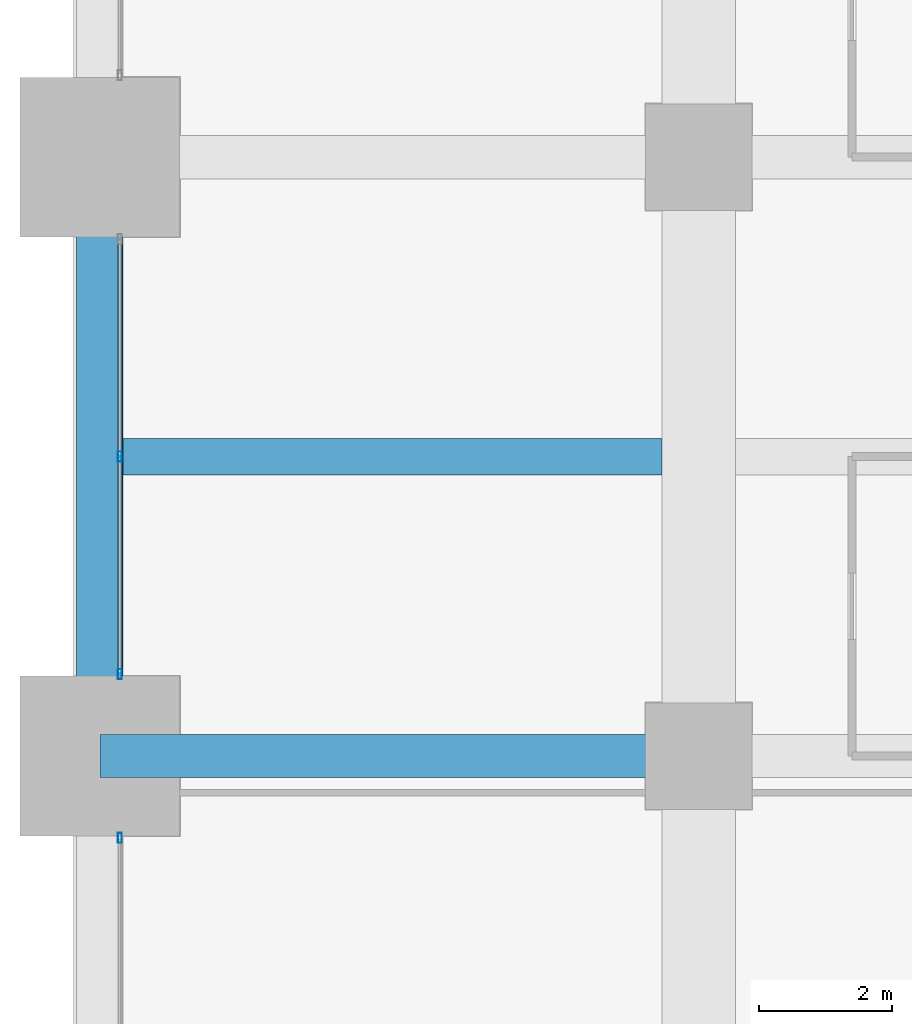
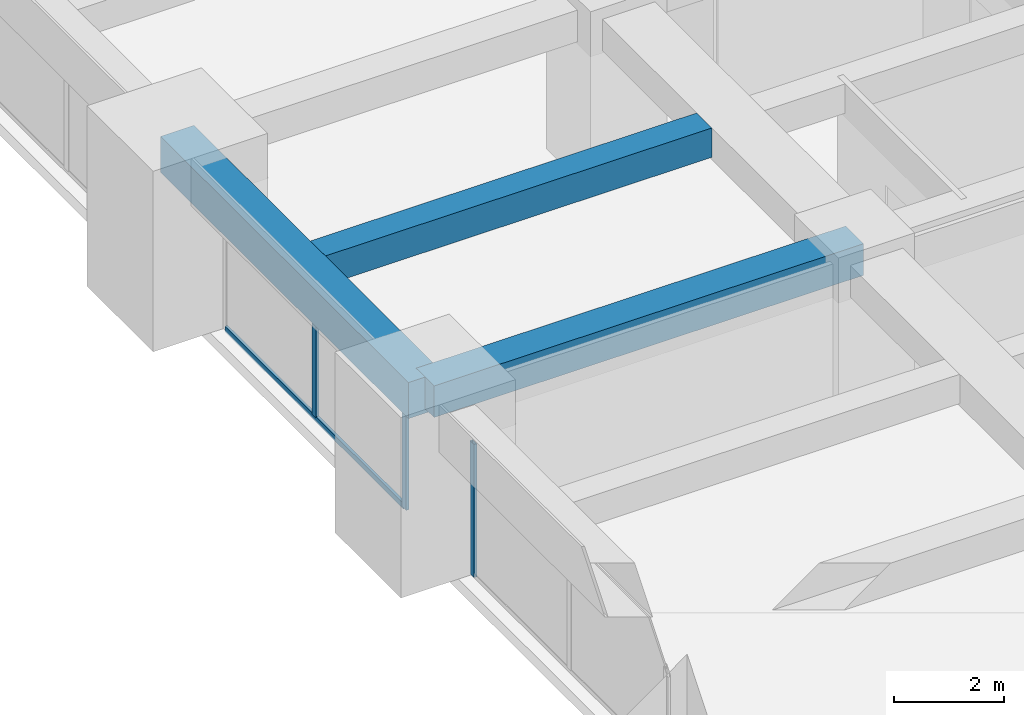
# One storey, part 9 of 33: 4 members, 3 beams, 2 elements without a shape of their own.
"""IFC4 building model written with IfcOpenShell, lengths in metres."""

from ifc_helpers import new_model, si_unit, direction, frame, origin, origin_2d, place, context, subcontext, project, spatial, rectangle, hollow_rectangle, extrude, material, material_profile, profile_set, type_object, element, aggregate, save


model = new_model("IFC4")

# Units and contexts
model_context = context("Model", 3, precision=1e-05, world=origin(), true_north=direction((0.0, 1.0)))
body_context = subcontext(model_context, "Body", "Model", "MODEL_VIEW")
ifc_project = project(units=[si_unit("LENGTHUNIT", "METRE"), si_unit("AREAUNIT", "SQUARE_METRE"), si_unit("VOLUMEUNIT", "CUBIC_METRE"), si_unit("PLANEANGLEUNIT", "RADIAN"), si_unit("MASSUNIT", "GRAM", prefix="KILO")], contexts=[model_context])

# Site, building, storey
site_placement = place(None, origin())
site = spatial("IfcSite", under=ifc_project, at=site_placement, CompositionType="ELEMENT")
building_placement = place(site_placement, origin())
building = spatial("IfcBuilding", under=site, at=building_placement, Name="Zorevar Civic Tower", CompositionType="ELEMENT")
storey_placement = place(building_placement, frame((0.0, 0.0, 194.199951171875)))
storey = spatial("IfcBuildingStorey", under=building, at=storey_placement, Name="L47", CompositionType="ELEMENT", Elevation=194.199951171875)

# Beams
ifc_material_1 = material(Name="Concrete C50/60", Category="concrete")
ifc_material_profile_1 = material_profile(ifc_material_1, rectangle(XDim=0.550048828125, YDim=0.64990234375, at=origin_2d()), Name="RC 550x650")
ifc_profile_set_1 = profile_set([ifc_material_profile_1], Name="Concrete C50/60")
beam_type_1 = type_object("IfcBeamType", Name="Beam RC 550x650", PredefinedType="BEAM", material=ifc_profile_set_1)
beam_1_placement = place(storey_placement, frame((0.35009765625, 22.5, 3.425048828125), z_axis=(1.0, 0.0, 0.0), x_axis=(0.0, 1.0, 0.0)))
element("IfcBeam", 1, at=beam_1_placement, inside=storey, type_object=beam_type_1, Name="Secondary beam L48", PredefinedType="BEAM", context=body_context, shape_type="SweptSolid", body=[
    extrude(rectangle(XDim=0.550048828125, YDim=0.64990234375, at=origin_2d()), origin(), (0.0, 0.0, 1.0), 8.099853515625),
])
ifc_material_2 = material(Name="Concrete C50/60", Category="concrete")
ifc_material_profile_2 = material_profile(ifc_material_2, rectangle(XDim=0.64990234375, YDim=0.699951171875, at=origin_2d()), Name="RC 650x700")
ifc_profile_set_2 = profile_set([ifc_material_profile_2], Name="Concrete C50/60")
beam_type_2 = type_object("IfcBeamType", Name="Beam RC 650x700", PredefinedType="BEAM", material=ifc_profile_set_2)
beam_2_placement = place(storey_placement, frame((0.0, 18.0, 3.400146484375), z_axis=(1.0, 0.0, 0.0), x_axis=(0.0, 1.0, 0.0)))
element("IfcBeam", 2, at=beam_2_placement, inside=storey, type_object=beam_type_2, Name="Girder L48", PredefinedType="BEAM", context=body_context, shape_type="SweptSolid", body=[
    extrude(rectangle(XDim=0.64990234375, YDim=0.699951171875, at=origin_2d()), origin(), (0.0, 0.0, 1.0), 9.0),
])

# Curtain wall, member
ifc_material_3 = material(Name="Dark grey solar-control glass in black aluminium frame", Category="aluminium")
curtain_wall_type = type_object("IfcCurtainWallType", Name="Curtain wall CW4 high zone", PredefinedType="NOTDEFINED", material=ifc_material_3)
curtain_wall_1_placement = place(storey_placement, origin())
curtain_wall_1 = element("IfcCurtainWall", 3, at=curtain_wall_1_placement, inside=storey, type_object=curtain_wall_type, Name="CW4 L47", PredefinedType="NOTDEFINED")
ifc_material_4 = material(Name="Aluminium, black anodised", Category="aluminium")
ifc_material_profile_3 = material_profile(ifc_material_4, hollow_rectangle(XDim=0.06005859375, YDim=0.14990234375, WallThickness=0.00390625, at=origin_2d()), Name="AL 150x60x4")
ifc_profile_set_3 = profile_set([ifc_material_profile_3], Name="Aluminium, black anodised")
member_type_1 = type_object("IfcMemberType", Name="CW4 mullion AL 150x60x4", PredefinedType="MULLION", material=ifc_profile_set_3)
member_1_placement = place(storey_placement, frame((0.300048828125, 16.77001953125, 0.0), z_axis=(0.0, 0.0, 1.0), x_axis=(-1.0, 0.0, 0.0)))
member_1 = element("IfcMember", 4, at=member_1_placement, type_object=member_type_1, Name="CW4 mullion 3", PredefinedType="MULLION", context=body_context, shape_type="SweptSolid", body=[
    extrude(hollow_rectangle(XDim=0.06005859375, YDim=0.14990234375, WallThickness=0.00390625, at=origin_2d()), origin(), (0.0, 0.0, 1.0), 2.949951171875),
])
aggregate(curtain_wall_1, [member_1])

# Curtain wall, members
curtain_wall_2_placement = place(storey_placement, origin())
curtain_wall_2 = element("IfcCurtainWall", 5, at=curtain_wall_2_placement, inside=storey, type_object=curtain_wall_type, Name="CW4 L47", PredefinedType="NOTDEFINED")
member_2_placement = place(storey_placement, frame((0.300048828125, 19.22998046875, 0.0), z_axis=(0.0, 0.0, 1.0), x_axis=(-1.0, 0.0, 0.0)))
member_2 = element("IfcMember", 6, at=member_2_placement, type_object=member_type_1, Name="CW4 mullion 1", PredefinedType="MULLION", context=body_context, shape_type="SweptSolid", body=[
    extrude(hollow_rectangle(XDim=0.06005859375, YDim=0.14990234375, WallThickness=0.00390625, at=origin_2d()), origin(), (0.0, 0.0, 1.0), 2.949951171875),
])
member_3_placement = place(storey_placement, frame((0.300048828125, 22.5, 0.06005859375), z_axis=(0.0, 0.0, 1.0), x_axis=(-1.0, 0.0, 0.0)))
member_3 = element("IfcMember", 7, at=member_3_placement, type_object=member_type_1, Name="CW4 mullion 2", PredefinedType="MULLION", context=body_context, shape_type="SweptSolid", body=[
    extrude(hollow_rectangle(XDim=0.06005859375, YDim=0.14990234375, WallThickness=0.00390625, at=origin_2d()), origin(), (0.0, 0.0, 1.0), 2.889892578125),
])
ifc_material_5 = material(Name="Aluminium, black anodised", Category="aluminium")
ifc_material_profile_4 = material_profile(ifc_material_5, hollow_rectangle(XDim=0.06005859375, YDim=0.1201171875, WallThickness=0.0029296875, at=origin_2d()), Name="AL 120x60x3")
ifc_profile_set_4 = profile_set([ifc_material_profile_4], Name="Aluminium, black anodised")
member_type_2 = type_object("IfcMemberType", Name="CW4 transom AL 120x60x3", PredefinedType="USERDEFINED", material=ifc_profile_set_4)
member_4_placement = place(storey_placement, frame((0.300048828125, 19.260009765625, 0.030029296875), z_axis=(0.0, 1.0, 0.0), x_axis=(-1.0, 0.0, 0.0)))
member_4 = element("IfcMember", 8, at=member_4_placement, type_object=member_type_2, Name="CW4 sill transom", ObjectType="TRANSOM", PredefinedType="USERDEFINED", context=body_context, shape_type="SweptSolid", body=[
    extrude(hollow_rectangle(XDim=0.06005859375, YDim=0.1201171875, WallThickness=0.0029296875, at=origin_2d()), origin(), (0.0, 0.0, 1.0), 6.47998046875),
])
aggregate(curtain_wall_2, [member_2, member_3, member_4])

# Beam
ifc_material_6 = material(Name="Concrete C50/60", Category="concrete")
ifc_material_profile_5 = material_profile(ifc_material_6, rectangle(XDim=0.699951171875, YDim=0.800048828125, at=origin_2d()), Name="RC 700x800")
ifc_profile_set_5 = profile_set([ifc_material_profile_5], Name="Concrete C50/60")
beam_type_3 = type_object("IfcBeamType", Name="Edge beam RC 700x800", PredefinedType="SPANDREL", material=ifc_profile_set_5)
beam_3_placement = place(storey_placement, frame((0.0, 18.0, 3.35009765625), z_axis=(0.0, 1.0, 0.0), x_axis=(-1.0, 0.0, 0.0)))
element("IfcBeam", 9, at=beam_3_placement, inside=storey, type_object=beam_type_3, Name="Edge beam L48", PredefinedType="SPANDREL", context=body_context, shape_type="SweptSolid", body=[
    extrude(rectangle(XDim=0.699951171875, YDim=0.800048828125, at=origin_2d()), origin(), (0.0, 0.0, 1.0), 9.0),
])

save(model, "model.ifc")
